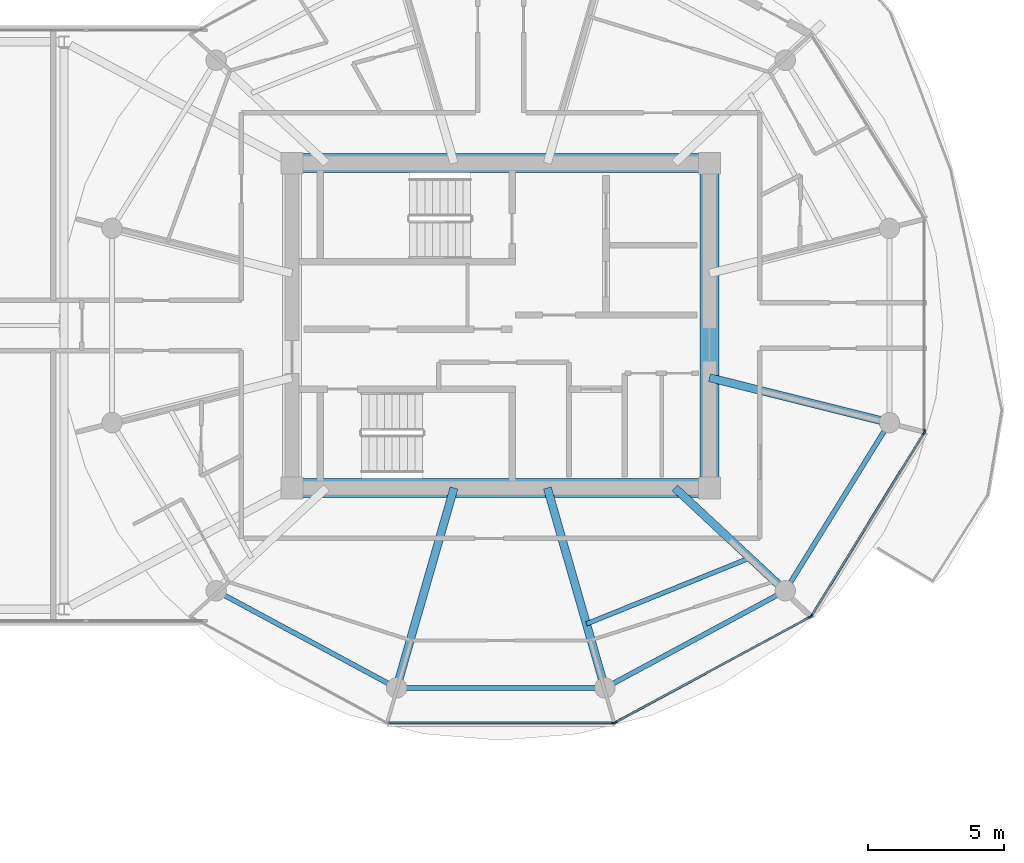
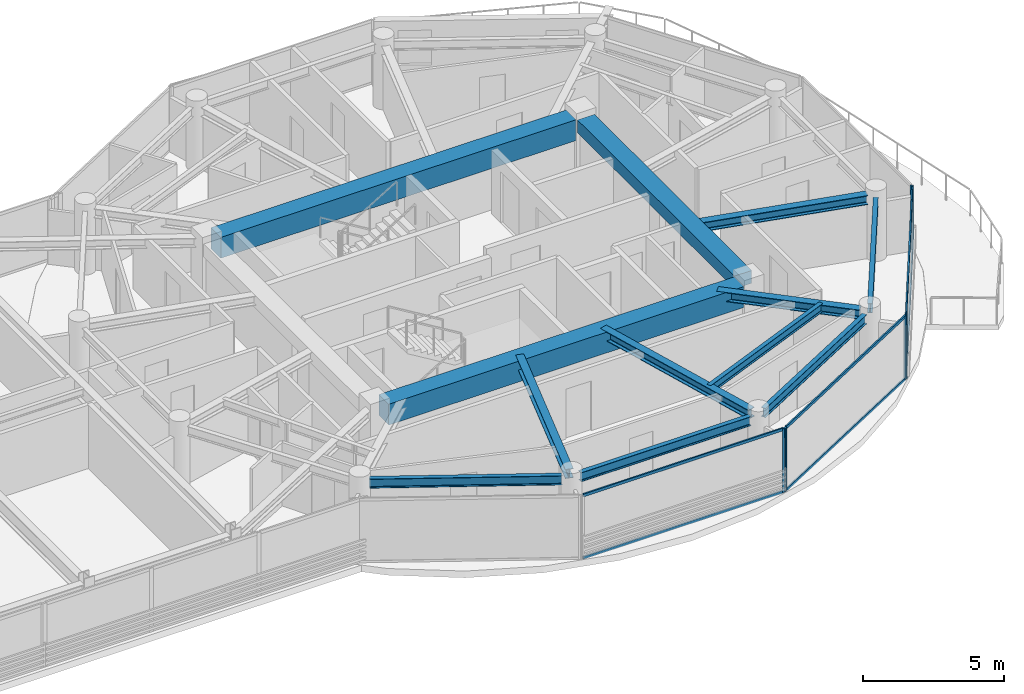
# One storey, part 9 of 23: 12 beams, 12 members, 4 elements without a shape of their own.
"""IFC4 building model written with IfcOpenShell, lengths in metres."""

from ifc_helpers import new_model, si_unit, direction, frame, origin, origin_2d, place, context, subcontext, project, spatial, rectangle, i_section, extrude, source, transform, mapped, material, layer, layer_set, material_profile, profile_set, type_object, type_shapes, element, aggregate, save


model = new_model("IFC4")

# Units and contexts
model_context = context("Model", 3, precision=1e-05, world=origin(), true_north=direction((0.0, 1.0)))
body_context = subcontext(model_context, "Body", "Model", "MODEL_VIEW")
ifc_project = project(units=[si_unit("LENGTHUNIT", "METRE"), si_unit("AREAUNIT", "SQUARE_METRE"), si_unit("VOLUMEUNIT", "CUBIC_METRE"), si_unit("PLANEANGLEUNIT", "RADIAN"), si_unit("MASSUNIT", "GRAM", prefix="KILO")], contexts=[model_context])

# Site, building, storey
site_placement = place(None, origin())
site = spatial("IfcSite", under=ifc_project, at=site_placement, CompositionType="ELEMENT")
building_placement = place(site_placement, origin())
building = spatial("IfcBuilding", under=site, at=building_placement, Name="Norrkilde Senior Care Towers", CompositionType="ELEMENT")
storey_placement = place(building_placement, frame((0.0, 0.0, 220.0)))
storey = spatial("IfcBuildingStorey", under=building, at=storey_placement, Name="L68", CompositionType="ELEMENT", Elevation=220.0)

# Beams
ifc_material_1 = material(Name="Concrete C60/75", Category="concrete")
ifc_material_profile_1 = material_profile(ifc_material_1, rectangle(XDim=0.699951171875, YDim=0.89990234375, at=origin_2d()), Name="RC BM 700x900")
ifc_profile_set_1 = profile_set([ifc_material_profile_1], Name="Concrete C60/75")
beam_type_1 = type_object("IfcBeamType", Name="Core Coupling Girder 700x900", PredefinedType="USERDEFINED", material=ifc_profile_set_1)
shared_shape_1 = source(origin(), body_context, "Body", "SweptSolid", [
    extrude(rectangle(XDim=0.699951171875, YDim=0.89990234375, at=origin_2d()), origin(), (0.0, 0.0, 1.0), 14.5400390625),
])
type_shapes(beam_type_1, [shared_shape_1])
for number, where, z_axis, x_axis, name in (
    (1, (20.72998046875, 5.949951171875, 2.31005859375), (1.0, 0.0, 0.0), (0.0, 1.0, 0.0), "L68 Core E N Coupling Girder"),
    (2, (20.72998046875, -5.949951171875, 2.31005859375), (1.0, 0.0, 0.0), (0.0, 1.0, 0.0), "L68 Core E S Coupling Girder"),
):
    element("IfcBeam", number, at=place(storey_placement, frame(where, z_axis=z_axis, x_axis=x_axis)), inside=storey, type_object=beam_type_1, Name=name, ObjectType="GIRDER", PredefinedType="USERDEFINED", context=body_context, shape_type="MappedRepresentation", body=[
        mapped(shared_shape_1, transform((0.0, 0.0, 0.0), x_axis=(1.0, 0.0, 0.0), y_axis=(0.0, 1.0, 0.0), z_axis=(0.0, 0.0, 1.0), scale=1.0)),
    ])
ifc_material_profile_2 = material_profile(ifc_material_1, rectangle(XDim=0.699951171875, YDim=0.550048828125, at=origin_2d()), Name="RC BM 700x550")
ifc_profile_set_2 = profile_set([ifc_material_profile_2], Name="Concrete C60/75")
beam_type_2 = type_object("IfcBeamType", Name="Core Portal Coupling Beam 700x550", PredefinedType="USERDEFINED", material=ifc_profile_set_2)
shared_shape_2 = source(origin(), body_context, "Body", "SweptSolid", [
    extrude(rectangle(XDim=0.699951171875, YDim=0.550048828125, at=origin_2d()), origin(), (0.0, 0.0, 1.0), 11.14013671875),
])
type_shapes(beam_type_2, [shared_shape_2])
beam_1_placement = place(storey_placement, frame((35.64990234375, -5.570068359375, 2.485107421875), z_axis=(0.0, 1.0, 0.0), x_axis=(-1.0, 0.0, 0.0)))
element("IfcBeam", 3, at=beam_1_placement, inside=storey, type_object=beam_type_2, Name="L68 Core E E Coupling Girder", ObjectType="GIRDER", PredefinedType="USERDEFINED", context=body_context, shape_type="MappedRepresentation", body=[
    mapped(shared_shape_2, transform((0.0, 0.0, 0.0), x_axis=(1.0, 0.0, 0.0), y_axis=(0.0, 1.0, 0.0), z_axis=(0.0, 0.0, 1.0), scale=1.0)),
])
ifc_material_2 = material(Name="Steel S355", Category="steel")
ifc_material_profile_3 = material_profile(ifc_material_2, i_section(OverallWidth=0.179931640625, OverallDepth=0.39990234375, WebThickness=0.008544921875, FlangeThickness=0.013427734375, FilletRadius=0.02099609375, at=origin_2d()), Name="IPE 400")
ifc_profile_set_3 = profile_set([ifc_material_profile_3], Name="Steel S355")
beam_type_3 = type_object("IfcBeamType", Name="Perimeter Ring Spandrel Z4 IPE400", PredefinedType="SPANDREL", material=ifc_profile_set_3)
shared_shape_3 = source(origin(), body_context, "Body", "SweptSolid", [
    extrude(i_section(OverallWidth=0.179931640625, OverallDepth=0.39990234375, WebThickness=0.008544921875, FlangeThickness=0.013427734375, FilletRadius=0.02099609375, at=origin_2d()), origin(), (0.0, 0.0, 1.0), 6.58056640625),
])
beam_2_placement = place(storey_placement, frame((38.606201171875, -9.43798828125, 2.56005859375), z_axis=(0.526529583789, 0.850156807533, 0.0), x_axis=(-0.850156807533, 0.526529583789, 0.0)))
element("IfcBeam", 4, at=beam_2_placement, inside=storey, type_object=beam_type_3, Name="L68 Drum E Perimeter Spandrel 11", PredefinedType="SPANDREL", context=body_context, shape_type="MappedRepresentation", body=[
    mapped(shared_shape_3, transform((0.0, 0.0, 0.0), x_axis=(1.0, 0.0, 0.0), y_axis=(0.0, 1.0, 0.0), z_axis=(0.0, 0.0, 1.0), scale=1.0)),
])
ifc_material_profile_4 = material_profile(ifc_material_2, i_section(OverallWidth=0.300048828125, OverallDepth=0.39990234375, WebThickness=0.013427734375, FlangeThickness=0.02392578125, FilletRadius=0.027099609375, at=origin_2d()), Name="HEB 400")
ifc_profile_set_4 = profile_set([ifc_material_profile_4], Name="Steel S355")
beam_type_4 = type_object("IfcBeamType", Name="Radial Floor Beam Z4 HEB400", PredefinedType="BEAM", material=ifc_profile_set_4)
shared_shape_4 = source(origin(), body_context, "Body", "SweptSolid", [
    extrude(i_section(OverallWidth=0.300048828125, OverallDepth=0.39990234375, WebThickness=0.013427734375, FlangeThickness=0.02392578125, FilletRadius=0.027099609375, at=origin_2d()), origin(), (0.0, 0.0, 1.0), 6.465087890625),
])
beam_3_placement = place(storey_placement, frame((35.64990234375, -1.910888671875, 2.56005859375), z_axis=(0.970195788563, -0.242322371758, 0.0), x_axis=(0.242322371758, 0.970195788563, 0.0)))
element("IfcBeam", 5, at=beam_3_placement, inside=storey, type_object=beam_type_4, Name="L68 Drum E Radial Floor Beam 12", PredefinedType="BEAM", context=body_context, shape_type="MappedRepresentation", body=[
    mapped(shared_shape_4, transform((0.0, 0.0, 0.0), x_axis=(1.0, 0.0, 0.0), y_axis=(0.0, 1.0, 0.0), z_axis=(0.0, 0.0, 1.0), scale=1.0)),
])
shared_shape_5 = source(origin(), body_context, "Body", "SweptSolid", [
    extrude(i_section(OverallWidth=0.179931640625, OverallDepth=0.39990234375, WebThickness=0.008544921875, FlangeThickness=0.013427734375, FilletRadius=0.02099609375, at=origin_2d()), origin(), (0.0, 0.0, 1.0), 6.839111328125),
])
for number, where, z_axis, x_axis, name in (
    (6, (17.865234375, -9.881591796875, 2.56005859375), (0.880563930732, -0.473927382511, 0.0), (0.473927382511, 0.880563930732, 0.0), "L68 Drum E Perimeter Spandrel 08"),
    (7, (32.112548828125, -13.122802734375, 2.56005859375), (0.880563930732, 0.473927382511, 0.0), (-0.473927382511, 0.880563930732, 0.0), "L68 Drum E Perimeter Spandrel 10"),
):
    element("IfcBeam", number, at=place(storey_placement, frame(where, z_axis=z_axis, x_axis=x_axis)), inside=storey, type_object=beam_type_3, Name=name, PredefinedType="SPANDREL", context=body_context, shape_type="MappedRepresentation", body=[
        mapped(shared_shape_5, transform((0.0, 0.0, 0.0), x_axis=(1.0, 0.0, 0.0), y_axis=(0.0, 1.0, 0.0), z_axis=(0.0, 0.0, 1.0), scale=1.0)),
    ])
shared_shape_6 = source(origin(), body_context, "Body", "SweptSolid", [
    extrude(i_section(OverallWidth=0.300048828125, OverallDepth=0.39990234375, WebThickness=0.013427734375, FlangeThickness=0.02392578125, FilletRadius=0.027099609375, at=origin_2d()), origin(), (0.0, 0.0, 1.0), 5.197998046875),
])
beam_4_placement = place(storey_placement, frame((34.3828125, -5.949951171875, 2.56005859375), z_axis=(0.731448749334, -0.681896419625, 0.0), x_axis=(0.681896419625, 0.731448749334, 0.0)))
element("IfcBeam", 8, at=beam_4_placement, inside=storey, type_object=beam_type_4, Name="L68 Drum E Radial Floor Beam 11", PredefinedType="BEAM", context=body_context, shape_type="MappedRepresentation", body=[
    mapped(shared_shape_6, transform((0.0, 0.0, 0.0), x_axis=(1.0, 0.0, 0.0), y_axis=(0.0, 1.0, 0.0), z_axis=(0.0, 0.0, 1.0), scale=1.0)),
])
shared_shape_7 = source(origin(), body_context, "Body", "SweptSolid", [
    extrude(i_section(OverallWidth=0.179931640625, OverallDepth=0.39990234375, WebThickness=0.008544921875, FlangeThickness=0.013427734375, FilletRadius=0.02099609375, at=origin_2d()), origin(), (0.0, 0.0, 1.0), 6.96533203125),
])
type_shapes(beam_type_3, [shared_shape_3, shared_shape_5, shared_shape_7])
beam_5_placement = place(storey_placement, frame((24.517333984375, -13.281494140625, 2.56005859375), z_axis=(1.0, 0.0, 0.0), x_axis=(0.0, 1.0, 0.0)))
element("IfcBeam", 9, at=beam_5_placement, inside=storey, type_object=beam_type_3, Name="L68 Drum E Perimeter Spandrel 09", PredefinedType="SPANDREL", context=body_context, shape_type="MappedRepresentation", body=[
    mapped(shared_shape_7, transform((0.0, 0.0, 0.0), x_axis=(1.0, 0.0, 0.0), y_axis=(0.0, 1.0, 0.0), z_axis=(0.0, 0.0, 1.0), scale=1.0)),
])
shared_shape_8 = source(origin(), body_context, "Body", "SweptSolid", [
    extrude(i_section(OverallWidth=0.300048828125, OverallDepth=0.39990234375, WebThickness=0.013427734375, FlangeThickness=0.02392578125, FilletRadius=0.027099609375, at=origin_2d()), origin(), (0.0, 0.0, 1.0), 7.29345703125),
])
type_shapes(beam_type_4, [shared_shape_4, shared_shape_6, shared_shape_8])
for number, where, z_axis, x_axis, name in (
    (10, (26.289794921875, -5.949951171875, 2.56005859375), (-0.276263751906, -0.961081858836, 0.0), (0.961081858836, -0.276263751906, 0.0), "L68 Drum E Radial Floor Beam 09"),
    (11, (29.710205078125, -5.949951171875, 2.56005859375), (0.276263751906, -0.961081858836, 0.0), (0.961081858836, 0.276263751906, 0.0), "L68 Drum E Radial Floor Beam 10"),
):
    element("IfcBeam", number, at=place(storey_placement, frame(where, z_axis=z_axis, x_axis=x_axis)), inside=storey, type_object=beam_type_4, Name=name, PredefinedType="BEAM", context=body_context, shape_type="MappedRepresentation", body=[
        mapped(shared_shape_8, transform((0.0, 0.0, 0.0), x_axis=(1.0, 0.0, 0.0), y_axis=(0.0, 1.0, 0.0), z_axis=(0.0, 0.0, 1.0), scale=1.0)),
    ])
ifc_material_profile_5 = material_profile(ifc_material_2, i_section(OverallWidth=0.169921875, OverallDepth=0.360107421875, WebThickness=0.008056640625, FlangeThickness=0.0126953125, FilletRadius=0.01806640625, at=origin_2d()), Name="IPE 360")
ifc_profile_set_5 = profile_set([ifc_material_profile_5], Name="Steel S355")
beam_type_5 = type_object("IfcBeamType", Name="Secondary Floor Joist IPE360", PredefinedType="JOIST", material=ifc_profile_set_5)
shared_shape_9 = source(origin(), body_context, "Body", "SweptSolid", [
    extrude(i_section(OverallWidth=0.169921875, OverallDepth=0.360107421875, WebThickness=0.008056640625, FlangeThickness=0.0126953125, FilletRadius=0.01806640625, at=origin_2d()), origin(), (0.0, 0.0, 1.0), 6.461669921875),
])
type_shapes(beam_type_5, [shared_shape_9])
beam_6_placement = place(storey_placement, frame((31.143310546875, -10.935302734375, 2.580078125), z_axis=(0.927225942298, 0.374502405772, 0.0), x_axis=(-0.374502405772, 0.927225942298, 0.0)))
element("IfcBeam", 12, at=beam_6_placement, inside=storey, type_object=beam_type_5, Name="L68 Drum E Secondary Floor Joist 4", PredefinedType="JOIST", context=body_context, shape_type="MappedRepresentation", body=[
    mapped(shared_shape_9, transform((0.0, 0.0, 0.0), x_axis=(1.0, 0.0, 0.0), y_axis=(0.0, 1.0, 0.0), z_axis=(0.0, 0.0, 1.0), scale=1.0)),
])

# Curtain wall, members
ifc_material_3 = material(Name="Triple Low-E Insulated Glazing", Category="glass")
ifc_layer = layer(ifc_material_3, 0.18505859375)
ifc_layer_set = layer_set([ifc_layer], Name="Triple Low-E Insulated Glazing")
curtain_wall_type = type_object("IfcCurtainWallType", Name="CW6 Zone 4 Crown Pavilion Curtain Wall", PredefinedType="NOTDEFINED", material=ifc_layer_set)
curtain_wall_1_placement = place(storey_placement, origin())
curtain_wall_1 = element("IfcCurtainWall", 13, at=curtain_wall_1_placement, inside=storey, type_object=curtain_wall_type, Name="L68 Drum E Curtain Wall 10", PredefinedType="NOTDEFINED")
ifc_material_4 = material(Name="Anodised Aluminium", Category="aluminium")
ifc_material_profile_6 = material_profile(ifc_material_4, rectangle(XDim=0.06005859375, YDim=0.1201171875, at=origin_2d()), Name="ALU TRAN 60x120")
ifc_profile_set_6 = profile_set([ifc_material_profile_6], Name="Anodised Aluminium")
member_type_1 = type_object("IfcMemberType", Name="Curtain Wall Transom Typical 60x120", PredefinedType="USERDEFINED", material=ifc_profile_set_6)
shared_shape_10 = source(origin(), body_context, "Body", "SweptSolid", [
    extrude(rectangle(XDim=0.06005859375, YDim=0.1201171875, at=origin_2d()), origin(), (0.0, 0.0, 1.0), 7.808837890625),
])
member_1_placement = place(storey_placement, frame((43.498046875, -3.958251953125, 0.030029296875), z_axis=(-0.524250924101, -0.851563837055, 0.0), x_axis=(0.851563837055, -0.524250924101, 0.0)))
member_1 = element("IfcMember", 14, at=member_1_placement, type_object=member_type_1, Name="CW-6 transom 1.1", ObjectType="TRANSOM", PredefinedType="USERDEFINED", context=body_context, shape_type="MappedRepresentation", body=[
    mapped(shared_shape_10, transform((0.0, 0.0, 0.0), x_axis=(1.0, 0.0, 0.0), y_axis=(0.0, 1.0, 0.0), z_axis=(0.0, 0.0, 1.0), scale=1.0)),
])
member_2_placement = place(storey_placement, frame((43.498046875, -3.958251953125, 2.72998046875), z_axis=(-0.524250924101, -0.851563837055, 0.0), x_axis=(0.851563837055, -0.524250924101, 0.0)))
member_2 = element("IfcMember", 15, at=member_2_placement, type_object=member_type_1, Name="CW-6 transom 1.2", ObjectType="TRANSOM", PredefinedType="USERDEFINED", context=body_context, shape_type="MappedRepresentation", body=[
    mapped(shared_shape_10, transform((0.0, 0.0, 0.0), x_axis=(1.0, 0.0, 0.0), y_axis=(0.0, 1.0, 0.0), z_axis=(0.0, 0.0, 1.0), scale=1.0)),
])

curtain_wall_2_placement = place(storey_placement, origin())
curtain_wall_2 = element("IfcCurtainWall", 16, at=curtain_wall_2_placement, inside=storey, type_object=curtain_wall_type, Name="L68 Drum E Curtain Wall 08", PredefinedType="NOTDEFINED")
shared_shape_11 = source(origin(), body_context, "Body", "SweptSolid", [
    extrude(rectangle(XDim=0.06005859375, YDim=0.1201171875, at=origin_2d()), origin(), (0.0, 0.0, 1.0), 8.19384765625),
])
member_3_placement = place(storey_placement, frame((32.096923828125, -14.566162109375, 0.030029296875), z_axis=(-1.0, 0.0, 0.0), x_axis=(0.0, -1.0, 0.0)))
member_3 = element("IfcMember", 17, at=member_3_placement, type_object=member_type_1, Name="CW-6 transom 1.1", ObjectType="TRANSOM", PredefinedType="USERDEFINED", context=body_context, shape_type="MappedRepresentation", body=[
    mapped(shared_shape_11, transform((0.0, 0.0, 0.0), x_axis=(1.0, 0.0, 0.0), y_axis=(0.0, 1.0, 0.0), z_axis=(0.0, 0.0, 1.0), scale=1.0)),
])
member_4_placement = place(storey_placement, frame((32.096923828125, -14.566162109375, 2.72998046875), z_axis=(-1.0, 0.0, 0.0), x_axis=(0.0, -1.0, 0.0)))
member_4 = element("IfcMember", 18, at=member_4_placement, type_object=member_type_1, Name="CW-6 transom 1.2", ObjectType="TRANSOM", PredefinedType="USERDEFINED", context=body_context, shape_type="MappedRepresentation", body=[
    mapped(shared_shape_11, transform((0.0, 0.0, 0.0), x_axis=(1.0, 0.0, 0.0), y_axis=(0.0, 1.0, 0.0), z_axis=(0.0, 0.0, 1.0), scale=1.0)),
])

curtain_wall_3_placement = place(storey_placement, origin())
curtain_wall_3 = element("IfcCurtainWall", 19, at=curtain_wall_3_placement, inside=storey, type_object=curtain_wall_type, Name="L68 Drum E Curtain Wall 09", PredefinedType="NOTDEFINED")
shared_shape_12 = source(origin(), body_context, "Body", "SweptSolid", [
    extrude(rectangle(XDim=0.06005859375, YDim=0.1201171875, at=origin_2d()), origin(), (0.0, 0.0, 1.0), 8.0673828125),
])
type_shapes(member_type_1, [shared_shape_10, shared_shape_11, shared_shape_12])
member_5_placement = place(storey_placement, frame((39.313232421875, -10.694091796875, 0.030029296875), z_axis=(-0.87937750072, -0.476125205411, 0.0), x_axis=(0.476125205411, -0.87937750072, 0.0)))
member_5 = element("IfcMember", 20, at=member_5_placement, type_object=member_type_1, Name="CW-6 transom 1.1", ObjectType="TRANSOM", PredefinedType="USERDEFINED", context=body_context, shape_type="MappedRepresentation", body=[
    mapped(shared_shape_12, transform((0.0, 0.0, 0.0), x_axis=(1.0, 0.0, 0.0), y_axis=(0.0, 1.0, 0.0), z_axis=(0.0, 0.0, 1.0), scale=1.0)),
])
member_6_placement = place(storey_placement, frame((39.313232421875, -10.694091796875, 2.72998046875), z_axis=(-0.87937750072, -0.476125205411, 0.0), x_axis=(0.476125205411, -0.87937750072, 0.0)))
member_6 = element("IfcMember", 21, at=member_6_placement, type_object=member_type_1, Name="CW-6 transom 1.2", ObjectType="TRANSOM", PredefinedType="USERDEFINED", context=body_context, shape_type="MappedRepresentation", body=[
    mapped(shared_shape_12, transform((0.0, 0.0, 0.0), x_axis=(1.0, 0.0, 0.0), y_axis=(0.0, 1.0, 0.0), z_axis=(0.0, 0.0, 1.0), scale=1.0)),
])

# Member
ifc_material_profile_7 = material_profile(ifc_material_4, rectangle(XDim=0.06494140625, YDim=0.14990234375, at=origin_2d()), Name="ALU MULL 65x150")
ifc_profile_set_7 = profile_set([ifc_material_profile_7], Name="Anodised Aluminium")
member_type_2 = type_object("IfcMemberType", Name="Curtain Wall Mullion Z3-Z4 65x150", PredefinedType="MULLION", material=ifc_profile_set_7)
shared_shape_13 = source(origin(), body_context, "Body", "SweptSolid", [
    extrude(rectangle(XDim=0.06494140625, YDim=0.14990234375, at=origin_2d()), origin(), (0.0, 0.0, 1.0), 2.760009765625),
])
type_shapes(member_type_2, [shared_shape_13])
member_7_placement = place(storey_placement, frame((32.12939453125, -14.566162109375, 0.0), z_axis=(0.0, 0.0, 1.0), x_axis=(0.0, -1.0, 0.0)))
member_7 = element("IfcMember", 22, at=member_7_placement, type_object=member_type_2, Name="CW-6 mullion 1", PredefinedType="MULLION", context=body_context, shape_type="MappedRepresentation", body=[
    mapped(shared_shape_13, transform((0.0, 0.0, 0.0), x_axis=(1.0, 0.0, 0.0), y_axis=(0.0, 1.0, 0.0), z_axis=(0.0, 0.0, 1.0), scale=1.0)),
])

aggregate(curtain_wall_2, [member_7, member_3, member_4])

member_8_placement = place(storey_placement, frame((39.341796875, -10.6787109375, 0.0), z_axis=(0.0, 0.0, 1.0), x_axis=(0.476132676136, -0.879373455772, 0.0)))
member_8 = element("IfcMember", 23, at=member_8_placement, type_object=member_type_2, Name="CW-6 mullion 1", PredefinedType="MULLION", context=body_context, shape_type="MappedRepresentation", body=[
    mapped(shared_shape_13, transform((0.0, 0.0, 0.0), x_axis=(1.0, 0.0, 0.0), y_axis=(0.0, 1.0, 0.0), z_axis=(0.0, 0.0, 1.0), scale=1.0)),
])

member_9_placement = place(storey_placement, frame((32.1904296875, -14.55078125, 0.0), z_axis=(0.0, 0.0, 1.0), x_axis=(0.476132676136, -0.879373455772, 0.0)))
member_9 = element("IfcMember", 24, at=member_9_placement, type_object=member_type_2, Name="CW-6 mullion 2", PredefinedType="MULLION", context=body_context, shape_type="MappedRepresentation", body=[
    mapped(shared_shape_13, transform((0.0, 0.0, 0.0), x_axis=(1.0, 0.0, 0.0), y_axis=(0.0, 1.0, 0.0), z_axis=(0.0, 0.0, 1.0), scale=1.0)),
])

aggregate(curtain_wall_3, [member_8, member_9, member_5, member_6])

member_10_placement = place(storey_placement, frame((43.51513671875, -3.9306640625, 0.0), z_axis=(0.0, 0.0, 1.0), x_axis=(0.851562727283, -0.524252726748, 0.0)))
member_10 = element("IfcMember", 25, at=member_10_placement, type_object=member_type_2, Name="CW-6 mullion 1", PredefinedType="MULLION", context=body_context, shape_type="MappedRepresentation", body=[
    mapped(shared_shape_13, transform((0.0, 0.0, 0.0), x_axis=(1.0, 0.0, 0.0), y_axis=(0.0, 1.0, 0.0), z_axis=(0.0, 0.0, 1.0), scale=1.0)),
])

member_11_placement = place(storey_placement, frame((39.38720703125, -10.635498046875, 0.0), z_axis=(0.0, 0.0, 1.0), x_axis=(0.851562727283, -0.524252726748, 0.0)))
member_11 = element("IfcMember", 26, at=member_11_placement, type_object=member_type_2, Name="CW-6 mullion 2", PredefinedType="MULLION", context=body_context, shape_type="MappedRepresentation", body=[
    mapped(shared_shape_13, transform((0.0, 0.0, 0.0), x_axis=(1.0, 0.0, 0.0), y_axis=(0.0, 1.0, 0.0), z_axis=(0.0, 0.0, 1.0), scale=1.0)),
])

aggregate(curtain_wall_1, [member_10, member_11, member_1, member_2])

# Curtain wall, member
curtain_wall_4_placement = place(storey_placement, origin())
curtain_wall_4 = element("IfcCurtainWall", 27, at=curtain_wall_4_placement, inside=storey, type_object=curtain_wall_type, Name="L68 Drum E Curtain Wall 11", PredefinedType="NOTDEFINED")
member_12_placement = place(storey_placement, frame((43.531982421875, -3.87060546875, 0.0), z_axis=(0.0, 0.0, 1.0), x_axis=(1.0, 0.0, 0.0)))
member_12 = element("IfcMember", 28, at=member_12_placement, type_object=member_type_2, Name="CW-6 mullion 2", PredefinedType="MULLION", context=body_context, shape_type="MappedRepresentation", body=[
    mapped(shared_shape_13, transform((0.0, 0.0, 0.0), x_axis=(1.0, 0.0, 0.0), y_axis=(0.0, 1.0, 0.0), z_axis=(0.0, 0.0, 1.0), scale=1.0)),
])
aggregate(curtain_wall_4, [member_12])

save(model, "model.ifc")
